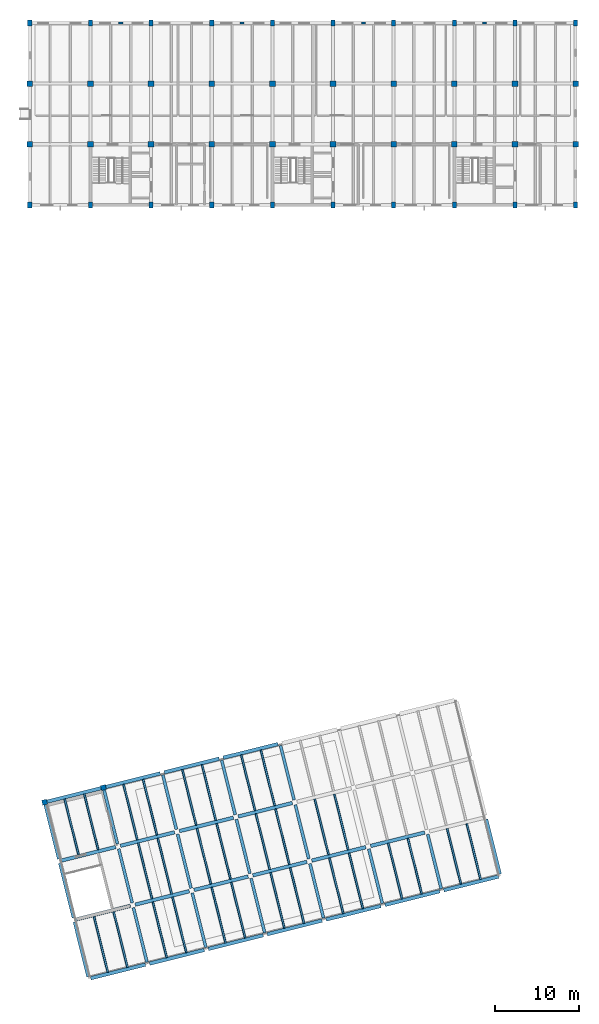
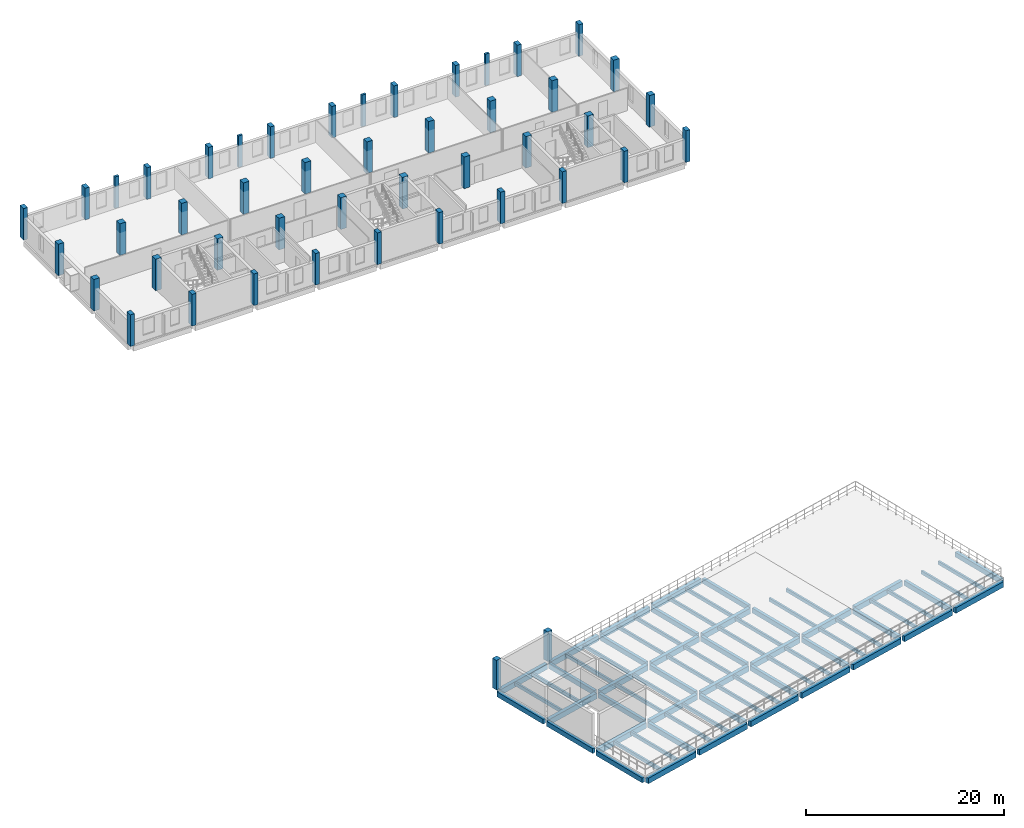
# One storey, part 1 of 11: 69 beams, 46 columns.
"""IFC4 building model written with IfcOpenShell, lengths in metres."""

from ifc_helpers import new_model, si_unit, direction, frame, origin, origin_2d, place, context, subcontext, project, spatial, rectangle, extrude, material, material_profile, profile_set, type_object, element, save


model = new_model("IFC4")

# Units and contexts
model_context = context("Model", 3, precision=1e-05, world=origin(), true_north=direction((0.0, 1.0)))
body_context = subcontext(model_context, "Body", "Model", "MODEL_VIEW")
ifc_project = project(units=[si_unit("LENGTHUNIT", "METRE"), si_unit("AREAUNIT", "SQUARE_METRE"), si_unit("VOLUMEUNIT", "CUBIC_METRE"), si_unit("PLANEANGLEUNIT", "RADIAN"), si_unit("MASSUNIT", "GRAM", prefix="KILO")], contexts=[model_context])

# Site, building, storey
site_placement = place(None, origin())
site = spatial("IfcSite", under=ifc_project, at=site_placement, CompositionType="ELEMENT")
building_placement = place(site_placement, origin())
building = spatial("IfcBuilding", under=site, at=building_placement, Name="Qiaolan Assembly House", CompositionType="ELEMENT")
storey_placement = place(building_placement, frame((0.0, 0.0, 26.39990234375)))
storey = spatial("IfcBuildingStorey", under=building, at=storey_placement, Name="L06", CompositionType="ELEMENT", Elevation=26.39990234375)

# Columns
ifc_material_1 = material(Name="Concrete C40/50", Category="concrete")
ifc_material_profile_1 = material_profile(ifc_material_1, rectangle(XDim=0.60009765625, YDim=0.60009765625, at=origin_2d()), Name="RC 600x600")
ifc_profile_set_1 = profile_set([ifc_material_profile_1], Name="Concrete C40/50")
column_type_1 = type_object("IfcColumnType", Name="COL-RC-600", PredefinedType="COLUMN", material=ifc_profile_set_1)
for number, where, z_axis, x_axis, name in (
    (1, (37.760498046875, 22.7001953125, 0.0), (0.0, 0.0, 1.0), (0.970295726276, 0.2419218956, 0.0), "RC-13 roof pavilion column NW"),
    (2, (44.746826171875, 24.442138671875, 0.0), (0.0, 0.0, 1.0), (0.970295726276, 0.2419218956, 0.0), "RC-13 roof pavilion column NE"),
):
    element("IfcColumn", number, at=place(storey_placement, frame(where, z_axis=z_axis, x_axis=x_axis)), inside=storey, type_object=column_type_1, Name=name, PredefinedType="COLUMN", context=body_context, shape_type="SweptSolid", body=[
        extrude(rectangle(XDim=0.60009765625, YDim=0.60009765625, at=origin_2d()), origin(), (0.0, 0.0, 1.0), 3.650146484375),
    ])
ifc_material_profile_2 = material_profile(ifc_material_1, rectangle(XDim=0.64990234375, YDim=0.64990234375, at=origin_2d()), Name="RC 650x650")
ifc_profile_set_2 = profile_set([ifc_material_profile_2], Name="Concrete C40/50")
column_type_2 = type_object("IfcColumnType", Name="COL-RC-650", PredefinedType="COLUMN", material=ifc_profile_set_2)
for number, where, z_axis, x_axis, name in (
    (3, (36.0, 100.800048828125, 0.0), (0.0, 0.0, 1.0), (1.0, 0.0, 0.0), "RC-08 column NW L06"),
    (4, (36.0, 108.0, 0.0), (0.0, 0.0, 1.0), (1.0, 0.0, 0.0), "RC-08 column NW L06"),
    (5, (100.800048828125, 100.800048828125, 0.0), (0.0, 0.0, 1.0), (1.0, 0.0, 0.0), "RC-08 column NW L06"),
    (6, (100.800048828125, 108.0, 0.0), (0.0, 0.0, 1.0), (1.0, 0.0, 0.0), "RC-08 column NW L06"),
):
    element("IfcColumn", number, at=place(storey_placement, frame(where, z_axis=z_axis, x_axis=x_axis)), inside=storey, type_object=column_type_2, Name=name, PredefinedType="COLUMN", context=body_context, shape_type="SweptSolid", body=[
        extrude(rectangle(XDim=0.64990234375, YDim=0.64990234375, at=origin_2d()), origin(), (0.0, 0.0, 1.0), 3.900146484375),
    ])
ifc_material_profile_3 = material_profile(ifc_material_1, rectangle(XDim=0.679931640625, YDim=0.679931640625, at=origin_2d()), Name="RC 680x680")
ifc_profile_set_3 = profile_set([ifc_material_profile_3], Name="Concrete C40/50")
column_type_3 = type_object("IfcColumnType", Name="COL-RC-680", PredefinedType="COLUMN", material=ifc_profile_set_3)
for number, where, z_axis, x_axis, name in (
    (7, (43.199951171875, 100.800048828125, 0.0), (0.0, 0.0, 1.0), (1.0, 0.0, 0.0), "RC-21 column NW L06"),
    (8, (43.199951171875, 108.0, 0.0), (0.0, 0.0, 1.0), (1.0, 0.0, 0.0), "RC-21 column NW L06"),
    (9, (50.39990234375, 100.800048828125, 0.0), (0.0, 0.0, 1.0), (1.0, 0.0, 0.0), "RC-21 column NW L06"),
    (10, (50.39990234375, 108.0, 0.0), (0.0, 0.0, 1.0), (1.0, 0.0, 0.0), "RC-21 column NW L06"),
    (11, (57.60009765625, 100.800048828125, 0.0), (0.0, 0.0, 1.0), (1.0, 0.0, 0.0), "RC-21 column NW L06"),
    (12, (57.60009765625, 108.0, 0.0), (0.0, 0.0, 1.0), (1.0, 0.0, 0.0), "RC-21 column NW L06"),
    (13, (64.800048828125, 100.800048828125, 0.0), (0.0, 0.0, 1.0), (1.0, 0.0, 0.0), "RC-21 column NW L06"),
    (14, (64.800048828125, 108.0, 0.0), (0.0, 0.0, 1.0), (1.0, 0.0, 0.0), "RC-21 column NW L06"),
    (15, (72.0, 100.800048828125, 0.0), (0.0, 0.0, 1.0), (1.0, 0.0, 0.0), "RC-21 column NW L06"),
    (16, (72.0, 108.0, 0.0), (0.0, 0.0, 1.0), (1.0, 0.0, 0.0), "RC-21 column NW L06"),
    (17, (79.199951171875, 100.800048828125, 0.0), (0.0, 0.0, 1.0), (1.0, 0.0, 0.0), "RC-21 column NW L06"),
    (18, (79.199951171875, 108.0, 0.0), (0.0, 0.0, 1.0), (1.0, 0.0, 0.0), "RC-21 column NW L06"),
    (19, (86.39990234375, 100.800048828125, 0.0), (0.0, 0.0, 1.0), (1.0, 0.0, 0.0), "RC-21 column NW L06"),
    (20, (86.39990234375, 108.0, 0.0), (0.0, 0.0, 1.0), (1.0, 0.0, 0.0), "RC-21 column NW L06"),
    (21, (93.60009765625, 100.800048828125, 0.0), (0.0, 0.0, 1.0), (1.0, 0.0, 0.0), "RC-21 column NW L06"),
    (22, (93.60009765625, 108.0, 0.0), (0.0, 0.0, 1.0), (1.0, 0.0, 0.0), "RC-21 column NW L06"),
):
    element("IfcColumn", number, at=place(storey_placement, frame(where, z_axis=z_axis, x_axis=x_axis)), inside=storey, type_object=column_type_3, Name=name, PredefinedType="COLUMN", context=body_context, shape_type="SweptSolid", body=[
        extrude(rectangle(XDim=0.679931640625, YDim=0.679931640625, at=origin_2d()), origin(), (0.0, 0.0, 1.0), 3.900146484375),
    ])
ifc_material_profile_4 = material_profile(ifc_material_1, rectangle(XDim=0.47998046875, YDim=0.7099609375, at=origin_2d()), Name="RC 710x480")
ifc_profile_set_4 = profile_set([ifc_material_profile_4], Name="Concrete C40/50")
column_type_4 = type_object("IfcColumnType", Name="COL-RC-710x480", PredefinedType="COLUMN", material=ifc_profile_set_4)
for number, where, z_axis, x_axis, name in (
    (23, (36.0, 93.60009765625, 0.0), (0.0, 0.0, 1.0), (1.0, 0.0, 0.0), "RC-19 column NW L06"),
    (24, (36.0, 115.199951171875, 0.0), (0.0, 0.0, 1.0), (1.0, 0.0, 0.0), "RC-19 column NW L06"),
    (25, (43.199951171875, 93.60009765625, 0.0), (0.0, 0.0, 1.0), (1.0, 0.0, 0.0), "RC-19 column NW L06"),
    (26, (43.199951171875, 115.199951171875, 0.0), (0.0, 0.0, 1.0), (1.0, 0.0, 0.0), "RC-19 column NW L06"),
    (27, (50.39990234375, 93.60009765625, 0.0), (0.0, 0.0, 1.0), (1.0, 0.0, 0.0), "RC-19 column NW L06"),
    (28, (50.39990234375, 115.199951171875, 0.0), (0.0, 0.0, 1.0), (1.0, 0.0, 0.0), "RC-19 column NW L06"),
    (29, (57.60009765625, 93.60009765625, 0.0), (0.0, 0.0, 1.0), (1.0, 0.0, 0.0), "RC-19 column NW L06"),
    (30, (57.60009765625, 115.199951171875, 0.0), (0.0, 0.0, 1.0), (1.0, 0.0, 0.0), "RC-19 column NW L06"),
    (31, (64.800048828125, 93.60009765625, 0.0), (0.0, 0.0, 1.0), (1.0, 0.0, 0.0), "RC-19 column NW L06"),
    (32, (64.800048828125, 115.199951171875, 0.0), (0.0, 0.0, 1.0), (1.0, 0.0, 0.0), "RC-19 column NW L06"),
    (33, (72.0, 93.60009765625, 0.0), (0.0, 0.0, 1.0), (1.0, 0.0, 0.0), "RC-19 column NW L06"),
    (34, (72.0, 115.199951171875, 0.0), (0.0, 0.0, 1.0), (1.0, 0.0, 0.0), "RC-19 column NW L06"),
    (35, (79.199951171875, 93.60009765625, 0.0), (0.0, 0.0, 1.0), (1.0, 0.0, 0.0), "RC-19 column NW L06"),
    (36, (79.199951171875, 115.199951171875, 0.0), (0.0, 0.0, 1.0), (1.0, 0.0, 0.0), "RC-19 column NW L06"),
    (37, (86.39990234375, 93.60009765625, 0.0), (0.0, 0.0, 1.0), (1.0, 0.0, 0.0), "RC-19 column NW L06"),
    (38, (86.39990234375, 115.199951171875, 0.0), (0.0, 0.0, 1.0), (1.0, 0.0, 0.0), "RC-19 column NW L06"),
    (39, (93.60009765625, 93.60009765625, 0.0), (0.0, 0.0, 1.0), (1.0, 0.0, 0.0), "RC-19 column NW L06"),
    (40, (93.60009765625, 115.199951171875, 0.0), (0.0, 0.0, 1.0), (1.0, 0.0, 0.0), "RC-19 column NW L06"),
    (41, (100.800048828125, 93.60009765625, 0.0), (0.0, 0.0, 1.0), (1.0, 0.0, 0.0), "RC-19 column NW L06"),
    (42, (100.800048828125, 115.199951171875, 0.0), (0.0, 0.0, 1.0), (1.0, 0.0, 0.0), "RC-19 column NW L06"),
):
    element("IfcColumn", number, at=place(storey_placement, frame(where, z_axis=z_axis, x_axis=x_axis)), inside=storey, type_object=column_type_4, Name=name, PredefinedType="COLUMN", context=body_context, shape_type="SweptSolid", body=[
        extrude(rectangle(XDim=0.47998046875, YDim=0.7099609375, at=origin_2d()), origin(), (0.0, 0.0, 1.0), 3.900146484375),
    ])
ifc_material_2 = material(Name="Precast concrete C45/55", Category="concrete")
ifc_material_profile_5 = material_profile(ifc_material_2, rectangle(XDim=0.47998046875, YDim=0.260009765625, at=origin_2d()), Name="PIL 480x260")
ifc_profile_set_5 = profile_set([ifc_material_profile_5], Name="Precast concrete C45/55")
column_type_5 = type_object("IfcColumnType", Name="PIL-ATTIC-480x260", PredefinedType="PILASTER", material=ifc_profile_set_5)
for number, where, z_axis, x_axis, name in (
    (43, (46.800048828125, 115.199951171875, 0.0), (0.0, 0.0, 1.0), (1.0, 0.0, 0.0), "PL-05 neoclassical pilaster NW L06"),
    (44, (61.199951171875, 115.199951171875, 0.0), (0.0, 0.0, 1.0), (1.0, 0.0, 0.0), "PL-05 neoclassical pilaster NW L06"),
    (45, (75.60009765625, 115.199951171875, 0.0), (0.0, 0.0, 1.0), (1.0, 0.0, 0.0), "PL-05 neoclassical pilaster NW L06"),
    (46, (90.0, 115.199951171875, 0.0), (0.0, 0.0, 1.0), (1.0, 0.0, 0.0), "PL-05 neoclassical pilaster NW L06"),
):
    element("IfcColumn", number, at=place(storey_placement, frame(where, z_axis=z_axis, x_axis=x_axis)), inside=storey, type_object=column_type_5, Name=name, PredefinedType="PILASTER", context=body_context, shape_type="SweptSolid", body=[
        extrude(rectangle(XDim=0.47998046875, YDim=0.260009765625, at=origin_2d()), origin(), (0.0, 0.0, 1.0), 3.900146484375),
    ])

# Beams
ifc_material_profile_6 = material_profile(ifc_material_1, rectangle(XDim=0.35009765625, YDim=0.60009765625, at=origin_2d()), Name="RCB 350x600")
ifc_profile_set_6 = profile_set([ifc_material_profile_6], Name="Concrete C40/50")
beam_type_1 = type_object("IfcBeamType", Name="BM-RC-350x600", PredefinedType="BEAM", material=ifc_profile_set_6)
for number, where, z_axis, x_axis, name in (
    (47, (42.925537109375, 1.984375, -0.60986328125), (-0.241918257079, 0.970296633454, 0.0), (-0.970296633454, -0.241918257079, 0.0), "GB-08 beam BMV-SE-L06-00-00"),
    (48, (41.183837890625, 8.970458984375, -0.60986328125), (-0.241918257079, 0.970296633454, 0.0), (-0.970296633454, -0.241918257079, 0.0), "GB-08 beam BMV-SE-L06-00-01"),
    (49, (39.44189453125, 15.956787109375, -0.60986328125), (-0.241918257079, 0.970296633454, 0.0), (-0.970296633454, -0.241918257079, 0.0), "GB-08 beam BMV-SE-L06-00-02"),
):
    element("IfcBeam", number, at=place(storey_placement, frame(where, z_axis=z_axis, x_axis=x_axis)), inside=storey, type_object=beam_type_1, Name=name, PredefinedType="BEAM", context=body_context, shape_type="SweptSolid", body=[
        extrude(rectangle(XDim=0.35009765625, YDim=0.60009765625, at=origin_2d()), origin(), (0.0, 0.0, 1.0), 6.699951171875),
    ])
beam_1_placement = place(storey_placement, frame((49.911865234375, 3.726318359375, -0.60986328125), z_axis=(-0.241940431812, 0.970291104491, 0.0), x_axis=(-0.970291104491, -0.241940431812, 0.0)))
element("IfcBeam", 50, at=beam_1_placement, inside=storey, type_object=beam_type_1, Name="GB-08 beam BMV-SE-L06-01-00", PredefinedType="BEAM", context=body_context, shape_type="SweptSolid", body=[
    extrude(rectangle(XDim=0.35009765625, YDim=0.60009765625, at=origin_2d()), origin(), (0.0, 0.0, 1.0), 6.659912109375),
])
beam_2_placement = place(storey_placement, frame((48.16015625, 10.751220703125, -0.60986328125), z_axis=(-0.241893432628, 0.970302822448, 0.0), x_axis=(-0.970302822448, -0.241893432628, 0.0)))
element("IfcBeam", 51, at=beam_2_placement, inside=storey, type_object=beam_type_1, Name="GB-08 beam BMV-SE-L06-01-01", PredefinedType="BEAM", context=body_context, shape_type="SweptSolid", body=[
    extrude(rectangle(XDim=0.35009765625, YDim=0.60009765625, at=origin_2d()), origin(), (0.0, 0.0, 1.0), 6.619873046875),
])
for number, where, z_axis, x_axis, name in (
    (52, (46.41845703125, 17.7373046875, -0.60986328125), (-0.241940431812, 0.970291104491, 0.0), (-0.970291104491, -0.241940431812, 0.0), "GB-08 beam BMV-SE-L06-01-02"),
    (53, (56.89794921875, 5.468017578125, -0.60986328125), (-0.241940431812, 0.970291104491, 0.0), (-0.970291104491, -0.241940431812, 0.0), "GB-08 beam BMV-SE-L06-02-00"),
):
    element("IfcBeam", number, at=place(storey_placement, frame(where, z_axis=z_axis, x_axis=x_axis)), inside=storey, type_object=beam_type_1, Name=name, PredefinedType="BEAM", context=body_context, shape_type="SweptSolid", body=[
        extrude(rectangle(XDim=0.35009765625, YDim=0.60009765625, at=origin_2d()), origin(), (0.0, 0.0, 1.0), 6.659912109375),
    ])
beam_3_placement = place(storey_placement, frame((55.146484375, 12.492919921875, -0.60986328125), z_axis=(-0.241919497068, 0.970296324294, 0.0), x_axis=(-0.970296324294, -0.241919497068, 0.0)))
element("IfcBeam", 54, at=beam_3_placement, inside=storey, type_object=beam_type_1, Name="GB-08 beam BMV-SE-L06-02-01", PredefinedType="BEAM", context=body_context, shape_type="SweptSolid", body=[
    extrude(rectangle(XDim=0.35009765625, YDim=0.60009765625, at=origin_2d()), origin(), (0.0, 0.0, 1.0), 6.6201171875),
])
for number, where, z_axis, x_axis, name in (
    (55, (53.404541015625, 19.479248046875, -0.60986328125), (-0.241905919473, 0.970299709432, 0.0), (-0.970299709432, -0.241905919473, 0.0), "GB-08 beam BMV-SE-L06-02-02"),
    (56, (63.884033203125, 7.2099609375, -0.60986328125), (-0.241905919473, 0.970299709432, 0.0), (-0.970299709432, -0.241905919473, 0.0), "GB-08 beam BMV-SE-L06-03-00"),
):
    element("IfcBeam", number, at=place(storey_placement, frame(where, z_axis=z_axis, x_axis=x_axis)), inside=storey, type_object=beam_type_1, Name=name, PredefinedType="BEAM", context=body_context, shape_type="SweptSolid", body=[
        extrude(rectangle(XDim=0.35009765625, YDim=0.60009765625, at=origin_2d()), origin(), (0.0, 0.0, 1.0), 6.659912109375),
    ])
beam_4_placement = place(storey_placement, frame((62.132568359375, 14.23486328125, -0.60986328125), z_axis=(-0.241928153868, 0.970294165893, 0.0), x_axis=(-0.970294165893, -0.241928153868, 0.0)))
element("IfcBeam", 57, at=beam_4_placement, inside=storey, type_object=beam_type_1, Name="GB-08 beam BMV-SE-L06-03-01", PredefinedType="BEAM", context=body_context, shape_type="SweptSolid", body=[
    extrude(rectangle(XDim=0.35009765625, YDim=0.60009765625, at=origin_2d()), origin(), (0.0, 0.0, 1.0), 6.619873046875),
])
for number, where, z_axis, x_axis, name in (
    (58, (60.390625, 21.220947265625, -0.60986328125), (-0.241905919473, 0.970299709432, 0.0), (-0.970299709432, -0.241905919473, 0.0), "GB-08 beam BMV-SE-L06-03-02"),
    (59, (70.8701171875, 8.95166015625, -0.60986328125), (-0.241905919473, 0.970299709432, 0.0), (-0.970299709432, -0.241905919473, 0.0), "GB-08 beam BMV-SE-L06-04-00"),
):
    element("IfcBeam", number, at=place(storey_placement, frame(where, z_axis=z_axis, x_axis=x_axis)), inside=storey, type_object=beam_type_1, Name=name, PredefinedType="BEAM", context=body_context, shape_type="SweptSolid", body=[
        extrude(rectangle(XDim=0.35009765625, YDim=0.60009765625, at=origin_2d()), origin(), (0.0, 0.0, 1.0), 6.659912109375),
    ])
beam_5_placement = place(storey_placement, frame((69.11865234375, 15.976806640625, -0.60986328125), z_axis=(-0.241928153868, 0.970294165893, 0.0), x_axis=(-0.970294165893, -0.241928153868, 0.0)))
element("IfcBeam", 60, at=beam_5_placement, inside=storey, type_object=beam_type_1, Name="GB-08 beam BMV-SE-L06-04-01", PredefinedType="BEAM", context=body_context, shape_type="SweptSolid", body=[
    extrude(rectangle(XDim=0.35009765625, YDim=0.60009765625, at=origin_2d()), origin(), (0.0, 0.0, 1.0), 6.619873046875),
])
for number, where, z_axis, x_axis, name in (
    (61, (67.376708984375, 22.962890625, -0.60986328125), (-0.241905919473, 0.970299709432, 0.0), (-0.970299709432, -0.241905919473, 0.0), "GB-08 beam BMV-SE-L06-04-02"),
    (62, (77.856201171875, 10.693603515625, -0.60986328125), (-0.241905919473, 0.970299709432, 0.0), (-0.970299709432, -0.241905919473, 0.0), "GB-08 beam BMV-SE-L06-05-00"),
    (63, (84.842529296875, 12.435546875, -0.60986328125), (-0.241940431812, 0.970291104491, 0.0), (-0.970291104491, -0.241940431812, 0.0), "GB-08 beam BMV-SE-L06-06-00"),
):
    element("IfcBeam", number, at=place(storey_placement, frame(where, z_axis=z_axis, x_axis=x_axis)), inside=storey, type_object=beam_type_1, Name=name, PredefinedType="BEAM", context=body_context, shape_type="SweptSolid", body=[
        extrude(rectangle(XDim=0.35009765625, YDim=0.60009765625, at=origin_2d()), origin(), (0.0, 0.0, 1.0), 6.659912109375),
    ])
beam_6_placement = place(storey_placement, frame((91.82861328125, 14.17724609375, -0.60986328125), z_axis=(-0.241918257079, 0.970296633454, 0.0), x_axis=(-0.970296633454, -0.241918257079, 0.0)))
element("IfcBeam", 64, at=beam_6_placement, inside=storey, type_object=beam_type_1, Name="GB-08 beam BMV-SE-L06-07-00", PredefinedType="BEAM", context=body_context, shape_type="SweptSolid", body=[
    extrude(rectangle(XDim=0.35009765625, YDim=0.60009765625, at=origin_2d()), origin(), (0.0, 0.0, 1.0), 6.699951171875),
])
ifc_material_profile_7 = material_profile(ifc_material_1, rectangle(XDim=0.419921875, YDim=0.679931640625, at=origin_2d()), Name="RCB 420x680")
ifc_profile_set_7 = profile_set([ifc_material_profile_7], Name="Concrete C40/50")
beam_type_2 = type_object("IfcBeamType", Name="BM-RC-420x680", PredefinedType="BEAM", material=ifc_profile_set_7)
for number, where, z_axis, x_axis, name in (
    (65, (43.228759765625, 1.80224609375, -0.64990234375), (0.970296633454, 0.241918257079, 0.0), (-0.241918257079, 0.970296633454, 0.0), "GB-12 beam BMU-SE-L06-00-00"),
    (66, (50.21484375, 3.544189453125, -0.64990234375), (0.970296633454, 0.241918257079, 0.0), (-0.241918257079, 0.970296633454, 0.0), "GB-12 beam BMU-SE-L06-01-00"),
    (67, (57.200927734375, 5.285888671875, -0.64990234375), (0.970288079516, 0.241952563016, 0.0), (-0.241952563016, 0.970288079516, 0.0), "GB-12 beam BMU-SE-L06-02-00"),
    (68, (64.18701171875, 7.02783203125, -0.64990234375), (0.970296633454, 0.241918257079, 0.0), (-0.241918257079, 0.970296633454, 0.0), "GB-12 beam BMU-SE-L06-03-00"),
    (69, (71.17333984375, 8.769775390625, -0.64990234375), (0.970296633454, 0.241918257079, 0.0), (-0.241918257079, 0.970296633454, 0.0), "GB-12 beam BMU-SE-L06-04-00"),
    (70, (78.159423828125, 10.511474609375, -0.64990234375), (0.970296633454, 0.241918257079, 0.0), (-0.241918257079, 0.970296633454, 0.0), "GB-12 beam BMU-SE-L06-05-00"),
    (71, (85.1455078125, 12.25341796875, -0.64990234375), (0.970296633454, 0.241918257079, 0.0), (-0.241918257079, 0.970296633454, 0.0), "GB-12 beam BMU-SE-L06-06-00"),
):
    element("IfcBeam", number, at=place(storey_placement, frame(where, z_axis=z_axis, x_axis=x_axis)), inside=storey, type_object=beam_type_2, Name=name, PredefinedType="BEAM", context=body_context, shape_type="SweptSolid", body=[
        extrude(rectangle(XDim=0.419921875, YDim=0.679931640625, at=origin_2d()), origin(), (0.0, 0.0, 1.0), 6.699951171875),
    ])
beam_7_placement = place(storey_placement, frame((41.48681640625, 8.788330078125, -0.64990234375), z_axis=(0.970291104491, 0.241940431812, 0.0), x_axis=(-0.241940431812, 0.970291104491, 0.0)))
element("IfcBeam", 72, at=beam_7_placement, inside=storey, type_object=beam_type_2, Name="GB-12 beam BMU-SE-L06-00-01", PredefinedType="BEAM", context=body_context, shape_type="SweptSolid", body=[
    extrude(rectangle(XDim=0.419921875, YDim=0.679931640625, at=origin_2d()), origin(), (0.0, 0.0, 1.0), 6.659912109375),
])
for number, where, z_axis, x_axis, name in (
    (73, (48.51171875, 10.5400390625, -0.64990234375), (0.970294165893, 0.241928153868, 0.0), (-0.241928153868, 0.970294165893, 0.0), "GB-12 beam BMU-SE-L06-01-01"),
    (74, (55.498046875, 12.28173828125, -0.64990234375), (0.970294165893, 0.241928153868, 0.0), (-0.241928153868, 0.970294165893, 0.0), "GB-12 beam BMU-SE-L06-02-01"),
    (75, (62.484130859375, 14.023681640625, -0.64990234375), (0.970294165893, 0.241928153868, 0.0), (-0.241928153868, 0.970294165893, 0.0), "GB-12 beam BMU-SE-L06-03-01"),
    (76, (69.47021484375, 15.765380859375, -0.64990234375), (0.970294165893, 0.241928153868, 0.0), (-0.241928153868, 0.970294165893, 0.0), "GB-12 beam BMU-SE-L06-04-01"),
    (77, (76.456298828125, 17.50732421875, -0.64990234375), (0.970294165893, 0.241928153868, 0.0), (-0.241928153868, 0.970294165893, 0.0), "GB-12 beam BMU-SE-L06-05-01"),
):
    element("IfcBeam", number, at=place(storey_placement, frame(where, z_axis=z_axis, x_axis=x_axis)), inside=storey, type_object=beam_type_2, Name=name, PredefinedType="BEAM", context=body_context, shape_type="SweptSolid", body=[
        extrude(rectangle(XDim=0.419921875, YDim=0.679931640625, at=origin_2d()), origin(), (0.0, 0.0, 1.0), 6.619873046875),
    ])
beam_8_placement = place(storey_placement, frame((39.7451171875, 15.774658203125, -0.64990234375), z_axis=(0.970299709432, 0.241905919473, 0.0), x_axis=(-0.241905919473, 0.970299709432, 0.0)))
element("IfcBeam", 78, at=beam_8_placement, inside=storey, type_object=beam_type_2, Name="GB-12 beam BMU-SE-L06-00-02", PredefinedType="BEAM", context=body_context, shape_type="SweptSolid", body=[
    extrude(rectangle(XDim=0.419921875, YDim=0.679931640625, at=origin_2d()), origin(), (0.0, 0.0, 1.0), 6.659912109375),
])
for number, where, z_axis, x_axis, name in (
    (79, (46.77001953125, 17.526123046875, -0.64990234375), (0.970294165893, 0.241928153868, 0.0), (-0.241928153868, 0.970294165893, 0.0), "GB-12 beam BMU-SE-L06-01-02"),
    (80, (53.756103515625, 19.267822265625, -0.64990234375), (0.970294165893, 0.241928153868, 0.0), (-0.241928153868, 0.970294165893, 0.0), "GB-12 beam BMU-SE-L06-02-02"),
    (81, (60.7421875, 21.009765625, -0.64990234375), (0.970294165893, 0.241928153868, 0.0), (-0.241928153868, 0.970294165893, 0.0), "GB-12 beam BMU-SE-L06-03-02"),
):
    element("IfcBeam", number, at=place(storey_placement, frame(where, z_axis=z_axis, x_axis=x_axis)), inside=storey, type_object=beam_type_2, Name=name, PredefinedType="BEAM", context=body_context, shape_type="SweptSolid", body=[
        extrude(rectangle(XDim=0.419921875, YDim=0.679931640625, at=origin_2d()), origin(), (0.0, 0.0, 1.0), 6.619873046875),
    ])
for number, where, z_axis, x_axis, name in (
    (82, (38.003173828125, 22.7607421875, -0.64990234375), (0.970296633454, 0.241918257079, 0.0), (-0.241918257079, 0.970296633454, 0.0), "GB-12 beam BMU-SE-L06-00-03"),
    (83, (44.9892578125, 24.50244140625, -0.64990234375), (0.970288079516, 0.241952563016, 0.0), (-0.241952563016, 0.970288079516, 0.0), "GB-12 beam BMU-SE-L06-01-03"),
    (84, (51.975341796875, 26.244384765625, -0.64990234375), (0.970296633454, 0.241918257079, 0.0), (-0.241918257079, 0.970296633454, 0.0), "GB-12 beam BMU-SE-L06-02-03"),
    (85, (58.961669921875, 27.986328125, -0.64990234375), (0.970296633454, 0.241918257079, 0.0), (-0.241918257079, 0.970296633454, 0.0), "GB-12 beam BMU-SE-L06-03-03"),
):
    element("IfcBeam", number, at=place(storey_placement, frame(where, z_axis=z_axis, x_axis=x_axis)), inside=storey, type_object=beam_type_2, Name=name, PredefinedType="BEAM", context=body_context, shape_type="SweptSolid", body=[
        extrude(rectangle(XDim=0.419921875, YDim=0.679931640625, at=origin_2d()), origin(), (0.0, 0.0, 1.0), 6.699951171875),
    ])
ifc_material_profile_8 = material_profile(ifc_material_1, rectangle(XDim=0.219970703125, YDim=0.419921875, at=origin_2d()), Name="RCB 220x420")
ifc_profile_set_8 = profile_set([ifc_material_profile_8], Name="Concrete C40/50")
beam_type_3 = type_object("IfcBeamType", Name="JST-RC-220x420", PredefinedType="JOIST", material=ifc_profile_set_8)
for number, where, z_axis, x_axis, name in (
    (86, (45.265380859375, 2.5205078125, -0.52001953125), (-0.241918146508, 0.970296661022, 0.0), (-0.970296661022, -0.241918146508, 0.0), "RJ-03 beam JST-SE-L06-00-00-1"),
    (87, (47.59423828125, 3.10107421875, -0.52001953125), (-0.241918146508, 0.970296661022, 0.0), (-0.970296661022, -0.241918146508, 0.0), "RJ-03 beam JST-SE-L06-00-00-2"),
):
    element("IfcBeam", number, at=place(storey_placement, frame(where, z_axis=z_axis, x_axis=x_axis)), inside=storey, type_object=beam_type_3, Name=name, PredefinedType="JOIST", context=body_context, shape_type="SweptSolid", body=[
        extrude(rectangle(XDim=0.219970703125, YDim=0.419921875, at=origin_2d()), origin(), (0.0, 0.0, 1.0), 6.791748046875),
    ])
beam_9_placement = place(storey_placement, frame((41.78173828125, 16.49267578125, -0.52001953125), z_axis=(-0.241909709048, 0.970298764643, 0.0), x_axis=(-0.970298764643, -0.241909709048, 0.0)))
element("IfcBeam", 88, at=beam_9_placement, inside=storey, type_object=beam_type_3, Name="RJ-03 beam JST-SE-L06-00-02-1", PredefinedType="JOIST", context=body_context, shape_type="SweptSolid", body=[
    extrude(rectangle(XDim=0.219970703125, YDim=0.419921875, at=origin_2d()), origin(), (0.0, 0.0, 1.0), 6.7919921875),
])
for number, where, z_axis, x_axis, name in (
    (89, (44.110595703125, 17.0732421875, -0.52001953125), (-0.241943550075, 0.970290326952, 0.0), (-0.970290326952, -0.241943550075, 0.0), "RJ-03 beam JST-SE-L06-00-02-2"),
    (90, (52.251708984375, 4.26220703125, -0.52001953125), (-0.241943550075, 0.970290326952, 0.0), (-0.970290326952, -0.241943550075, 0.0), "RJ-03 beam JST-SE-L06-01-00-1"),
):
    element("IfcBeam", number, at=place(storey_placement, frame(where, z_axis=z_axis, x_axis=x_axis)), inside=storey, type_object=beam_type_3, Name=name, PredefinedType="JOIST", context=body_context, shape_type="SweptSolid", body=[
        extrude(rectangle(XDim=0.219970703125, YDim=0.419921875, at=origin_2d()), origin(), (0.0, 0.0, 1.0), 6.792236328125),
    ])
for number, where, z_axis, x_axis, name in (
    (91, (54.580322265625, 4.8427734375, -0.52001953125), (-0.241909709048, 0.970298764643, 0.0), (-0.970298764643, -0.241909709048, 0.0), "RJ-03 beam JST-SE-L06-01-00-2"),
    (92, (50.509765625, 11.248291015625, -0.52001953125), (-0.241909709048, 0.970298764643, 0.0), (-0.970298764643, -0.241909709048, 0.0), "RJ-03 beam JST-SE-L06-01-01-1"),
    (93, (52.83837890625, 11.828857421875, -0.52001953125), (-0.241909709048, 0.970298764643, 0.0), (-0.970298764643, -0.241909709048, 0.0), "RJ-03 beam JST-SE-L06-01-01-2"),
    (94, (48.767822265625, 18.234375, -0.52001953125), (-0.241909709048, 0.970298764643, 0.0), (-0.970298764643, -0.241909709048, 0.0), "RJ-03 beam JST-SE-L06-01-02-1"),
):
    element("IfcBeam", number, at=place(storey_placement, frame(where, z_axis=z_axis, x_axis=x_axis)), inside=storey, type_object=beam_type_3, Name=name, PredefinedType="JOIST", context=body_context, shape_type="SweptSolid", body=[
        extrude(rectangle(XDim=0.219970703125, YDim=0.419921875, at=origin_2d()), origin(), (0.0, 0.0, 1.0), 6.7919921875),
    ])
for number, where, z_axis, x_axis, name in (
    (95, (51.0966796875, 18.815185546875, -0.52001953125), (-0.241918146508, 0.970296661022, 0.0), (-0.970296661022, -0.241918146508, 0.0), "RJ-03 beam JST-SE-L06-01-02-2"),
    (96, (59.23779296875, 6.004150390625, -0.52001953125), (-0.241918146508, 0.970296661022, 0.0), (-0.970296661022, -0.241918146508, 0.0), "RJ-03 beam JST-SE-L06-02-00-1"),
):
    element("IfcBeam", number, at=place(storey_placement, frame(where, z_axis=z_axis, x_axis=x_axis)), inside=storey, type_object=beam_type_3, Name=name, PredefinedType="JOIST", context=body_context, shape_type="SweptSolid", body=[
        extrude(rectangle(XDim=0.219970703125, YDim=0.419921875, at=origin_2d()), origin(), (0.0, 0.0, 1.0), 6.791748046875),
    ])
beam_10_placement = place(storey_placement, frame((61.56640625, 6.584716796875, -0.52001953125), z_axis=(-0.241909709048, 0.970298764643, 0.0), x_axis=(-0.970298764643, -0.241909709048, 0.0)))
element("IfcBeam", 97, at=beam_10_placement, inside=storey, type_object=beam_type_3, Name="RJ-03 beam JST-SE-L06-02-00-2", PredefinedType="JOIST", context=body_context, shape_type="SweptSolid", body=[
    extrude(rectangle(XDim=0.219970703125, YDim=0.419921875, at=origin_2d()), origin(), (0.0, 0.0, 1.0), 6.7919921875),
])
beam_11_placement = place(storey_placement, frame((57.495849609375, 12.990234375, -0.52001953125), z_axis=(-0.241918146508, 0.970296661022, 0.0), x_axis=(-0.970296661022, -0.241918146508, 0.0)))
element("IfcBeam", 98, at=beam_11_placement, inside=storey, type_object=beam_type_3, Name="RJ-03 beam JST-SE-L06-02-01-1", PredefinedType="JOIST", context=body_context, shape_type="SweptSolid", body=[
    extrude(rectangle(XDim=0.219970703125, YDim=0.419921875, at=origin_2d()), origin(), (0.0, 0.0, 1.0), 6.791748046875),
])
for number, where, z_axis, x_axis, name in (
    (99, (59.82470703125, 13.57080078125, -0.52001953125), (-0.241943550075, 0.970290326952, 0.0), (-0.970290326952, -0.241943550075, 0.0), "RJ-03 beam JST-SE-L06-02-01-2"),
    (100, (55.754150390625, 19.976318359375, -0.52001953125), (-0.241943550075, 0.970290326952, 0.0), (-0.970290326952, -0.241943550075, 0.0), "RJ-03 beam JST-SE-L06-02-02-1"),
):
    element("IfcBeam", number, at=place(storey_placement, frame(where, z_axis=z_axis, x_axis=x_axis)), inside=storey, type_object=beam_type_3, Name=name, PredefinedType="JOIST", context=body_context, shape_type="SweptSolid", body=[
        extrude(rectangle(XDim=0.219970703125, YDim=0.419921875, at=origin_2d()), origin(), (0.0, 0.0, 1.0), 6.792236328125),
    ])
for number, where, z_axis, x_axis, name in (
    (101, (58.082763671875, 20.556884765625, -0.52001953125), (-0.241909709048, 0.970298764643, 0.0), (-0.970298764643, -0.241909709048, 0.0), "RJ-03 beam JST-SE-L06-02-02-2"),
    (102, (66.223876953125, 7.745849609375, -0.52001953125), (-0.241909709048, 0.970298764643, 0.0), (-0.970298764643, -0.241909709048, 0.0), "RJ-03 beam JST-SE-L06-03-00-1"),
    (103, (68.552490234375, 8.326416015625, -0.52001953125), (-0.241909709048, 0.970298764643, 0.0), (-0.970298764643, -0.241909709048, 0.0), "RJ-03 beam JST-SE-L06-03-00-2"),
    (104, (64.48193359375, 14.73193359375, -0.52001953125), (-0.241909709048, 0.970298764643, 0.0), (-0.970298764643, -0.241909709048, 0.0), "RJ-03 beam JST-SE-L06-03-01-1"),
):
    element("IfcBeam", number, at=place(storey_placement, frame(where, z_axis=z_axis, x_axis=x_axis)), inside=storey, type_object=beam_type_3, Name=name, PredefinedType="JOIST", context=body_context, shape_type="SweptSolid", body=[
        extrude(rectangle(XDim=0.219970703125, YDim=0.419921875, at=origin_2d()), origin(), (0.0, 0.0, 1.0), 6.7919921875),
    ])
for number, where, z_axis, x_axis, name in (
    (105, (66.810791015625, 15.312744140625, -0.52001953125), (-0.241918146508, 0.970296661022, 0.0), (-0.970296661022, -0.241918146508, 0.0), "RJ-03 beam JST-SE-L06-03-01-2"),
    (106, (62.740234375, 21.71826171875, -0.52001953125), (-0.241918146508, 0.970296661022, 0.0), (-0.970296661022, -0.241918146508, 0.0), "RJ-03 beam JST-SE-L06-03-02-1"),
    (107, (65.06884765625, 22.298828125, -0.52001953125), (-0.241918146508, 0.970296661022, 0.0), (-0.970296661022, -0.241918146508, 0.0), "RJ-03 beam JST-SE-L06-03-02-2"),
    (108, (73.2099609375, 9.48779296875, -0.52001953125), (-0.241918146508, 0.970296661022, 0.0), (-0.970296661022, -0.241918146508, 0.0), "RJ-03 beam JST-SE-L06-04-00-1"),
):
    element("IfcBeam", number, at=place(storey_placement, frame(where, z_axis=z_axis, x_axis=x_axis)), inside=storey, type_object=beam_type_3, Name=name, PredefinedType="JOIST", context=body_context, shape_type="SweptSolid", body=[
        extrude(rectangle(XDim=0.219970703125, YDim=0.419921875, at=origin_2d()), origin(), (0.0, 0.0, 1.0), 6.791748046875),
    ])
for number, where, z_axis, x_axis, name in (
    (109, (75.538818359375, 10.068359375, -0.52001953125), (-0.241943550075, 0.970290326952, 0.0), (-0.970290326952, -0.241943550075, 0.0), "RJ-03 beam JST-SE-L06-04-00-2"),
    (110, (71.46826171875, 16.473876953125, -0.52001953125), (-0.241943550075, 0.970290326952, 0.0), (-0.970290326952, -0.241943550075, 0.0), "RJ-03 beam JST-SE-L06-04-01-1"),
):
    element("IfcBeam", number, at=place(storey_placement, frame(where, z_axis=z_axis, x_axis=x_axis)), inside=storey, type_object=beam_type_3, Name=name, PredefinedType="JOIST", context=body_context, shape_type="SweptSolid", body=[
        extrude(rectangle(XDim=0.219970703125, YDim=0.419921875, at=origin_2d()), origin(), (0.0, 0.0, 1.0), 6.792236328125),
    ])
for number, where, z_axis, x_axis, name in (
    (111, (73.796875, 17.054443359375, -0.52001953125), (-0.241909709048, 0.970298764643, 0.0), (-0.970298764643, -0.241909709048, 0.0), "RJ-03 beam JST-SE-L06-04-01-2"),
    (112, (80.196044921875, 11.2294921875, -0.52001953125), (-0.241909709048, 0.970298764643, 0.0), (-0.970298764643, -0.241909709048, 0.0), "RJ-03 beam JST-SE-L06-05-00-1"),
    (113, (82.52490234375, 11.810302734375, -0.52001953125), (-0.241951988568, 0.970288222761, 0.0), (-0.970288222761, -0.241951988568, 0.0), "RJ-03 beam JST-SE-L06-05-00-2"),
):
    element("IfcBeam", number, at=place(storey_placement, frame(where, z_axis=z_axis, x_axis=x_axis)), inside=storey, type_object=beam_type_3, Name=name, PredefinedType="JOIST", context=body_context, shape_type="SweptSolid", body=[
        extrude(rectangle(XDim=0.219970703125, YDim=0.419921875, at=origin_2d()), origin(), (0.0, 0.0, 1.0), 6.7919921875),
    ])
beam_12_placement = place(storey_placement, frame((87.182373046875, 12.971435546875, -0.52001953125), z_axis=(-0.241943550075, 0.970290326952, 0.0), x_axis=(-0.970290326952, -0.241943550075, 0.0)))
element("IfcBeam", 114, at=beam_12_placement, inside=storey, type_object=beam_type_3, Name="RJ-03 beam JST-SE-L06-06-00-1", PredefinedType="JOIST", context=body_context, shape_type="SweptSolid", body=[
    extrude(rectangle(XDim=0.219970703125, YDim=0.419921875, at=origin_2d()), origin(), (0.0, 0.0, 1.0), 6.792236328125),
])
beam_13_placement = place(storey_placement, frame((89.510986328125, 13.552001953125, -0.52001953125), z_axis=(-0.241909709048, 0.970298764643, 0.0), x_axis=(-0.970298764643, -0.241909709048, 0.0)))
element("IfcBeam", 115, at=beam_13_placement, inside=storey, type_object=beam_type_3, Name="RJ-03 beam JST-SE-L06-06-00-2", PredefinedType="JOIST", context=body_context, shape_type="SweptSolid", body=[
    extrude(rectangle(XDim=0.219970703125, YDim=0.419921875, at=origin_2d()), origin(), (0.0, 0.0, 1.0), 6.7919921875),
])

save(model, "model.ifc")
